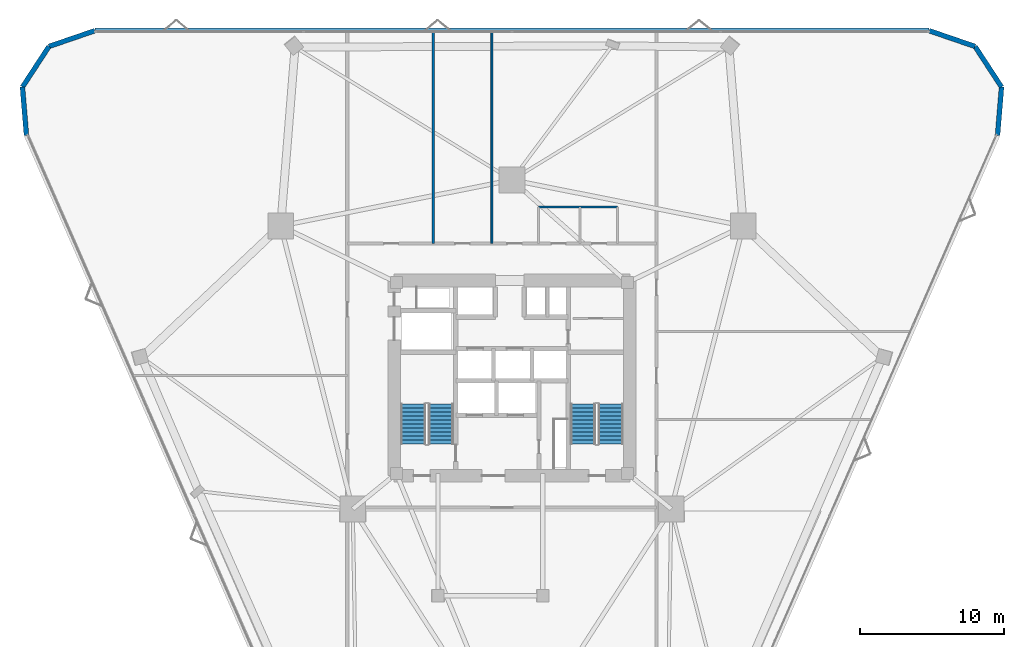
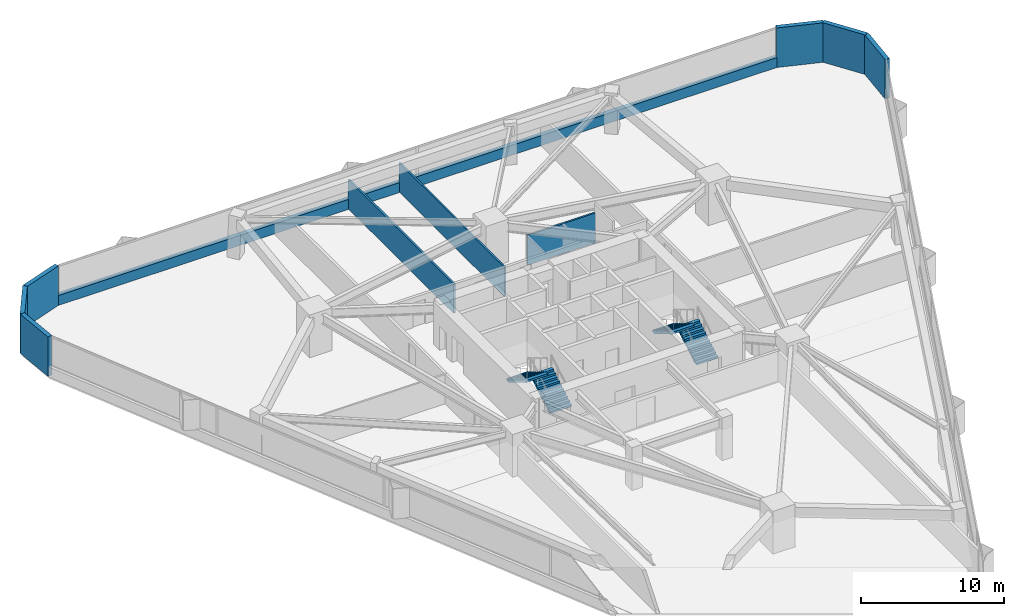
# One storey, part 19 of 21: 10 walls, 4 stair flights, 2 elements without a shape of their own.
"""IFC4 building model written with IfcOpenShell, lengths in metres."""

from ifc_helpers import new_model, si_unit, direction, frame, frame_2d, origin, place, context, subcontext, project, spatial, polyline, rectangle, outline, extrude, material, layer, layer_set, type_object, element, aggregate, save


model = new_model("IFC4")

# Units and contexts
model_context = context("Model", 3, precision=1e-05, world=origin(), true_north=direction((0.0, 1.0)))
body_context = subcontext(model_context, "Body", "Model", "MODEL_VIEW")
ifc_project = project(units=[si_unit("LENGTHUNIT", "METRE"), si_unit("AREAUNIT", "SQUARE_METRE"), si_unit("VOLUMEUNIT", "CUBIC_METRE"), si_unit("PLANEANGLEUNIT", "RADIAN"), si_unit("MASSUNIT", "GRAM", prefix="KILO")], contexts=[model_context])

# Site, building, storey
site_placement = place(None, origin())
site = spatial("IfcSite", under=ifc_project, at=site_placement, CompositionType="ELEMENT")
building_placement = place(site_placement, origin())
building = spatial("IfcBuilding", under=site, at=building_placement, Name="Talyreon Biosciences Tower", CompositionType="ELEMENT")
storey_placement = place(building_placement, frame((0.0, 0.0, 33.75)))
storey = spatial("IfcBuildingStorey", under=building, at=storey_placement, Name="L08", CompositionType="ELEMENT", Elevation=33.75)

# Walls
ifc_material_1 = material(Name="Gypsum acoustic stud partition", Category="gypsum")
ifc_layer_1 = layer(ifc_material_1, 0.159912109375)
ifc_layer_set_1 = layer_set([ifc_layer_1], Name="Gypsum acoustic stud partition")
wall_type_1 = type_object("IfcWallType", Name="LabSeparationPartition_160", PredefinedType="PARTITIONING", material=ifc_layer_set_1)
wall_1_placement = place(storey_placement, frame((60.510009765625, 77.3701171875, 0.0), z_axis=(0.0, 0.0, 1.0), x_axis=(0.0, 1.0, 0.0)))
element("IfcWall", 1, at=wall_1_placement, inside=storey, type_object=wall_type_1, Name="L08 Interior Wall IW-L08-NDIV1", PredefinedType="PARTITIONING", context=body_context, shape_type="SweptSolid", body=[
    extrude(rectangle(XDim=14.732421875, YDim=0.159912109375, at=frame_2d((7.3662109375, 0.0))), origin(), (0.0, 0.0, 1.0), 2.5048828125),
])
ifc_layer_2 = layer(ifc_material_1, 0.1298828125)
ifc_layer_set_2 = layer_set([ifc_layer_2], Name="Gypsum acoustic stud partition")
wall_type_2 = type_object("IfcWallType", Name="OfficeWriteupPartition_130", PredefinedType="PARTITIONING", material=ifc_layer_set_2)
wall_2_placement = place(storey_placement, frame((64.60009765625, 77.3701171875, 0.0), z_axis=(0.0, 0.0, 1.0), x_axis=(0.0, 1.0, 0.0)))
element("IfcWall", 2, at=wall_2_placement, inside=storey, type_object=wall_type_2, Name="L08 Interior Wall IW-L08-NDIV2", PredefinedType="PARTITIONING", context=body_context, shape_type="SweptSolid", body=[
    extrude(rectangle(XDim=14.732421875, YDim=0.1298828125, at=frame_2d((7.3662109375, 0.0))), origin(), (0.0, 0.0, 1.0), 2.5048828125),
])
ifc_material_2 = material(Name="Precast concrete C45/55", Category="concrete")
ifc_layer_3 = layer(ifc_material_2, 0.340087890625)
ifc_layer_set_3 = layer_set([ifc_layer_3], Name="Precast concrete C45/55")
wall_type_3 = type_object("IfcWallType", Name="PrecastConcreteSpandrelWall_340", PredefinedType="STANDARD", material=ifc_layer_set_3)
for number, where, z_axis, x_axis, name in (
    (3, (32.19091796875, 84.901123046875, 0.0), (0.0, 0.0, 1.0), (-0.082225515749, 0.996613748932, 0.0), "L08 Rounded-Corner Concrete Pier 01"),
    (4, (31.913330078125, 88.265625, 0.0), (0.0, 0.0, 1.0), (0.547134403386, 0.837044768595, 0.0), "L08 Rounded-Corner Concrete Pier 02"),
):
    element("IfcWall", number, at=place(storey_placement, frame(where, z_axis=z_axis, x_axis=x_axis)), inside=storey, type_object=wall_type_3, Name=name, PredefinedType="STANDARD", context=body_context, shape_type="SweptSolid", body=[
        extrude(rectangle(XDim=3.3759765625, YDim=0.340087890625, at=frame_2d((1.68798828125, 0.0))), origin(), (0.0, 0.0, 1.0), 3.375),
    ])
wall_3_placement = place(storey_placement, frame((33.760498046875, 91.091552734375, 0.0), z_axis=(0.0, 0.0, 1.0), x_axis=(0.945847654718, 0.324610865599, 0.0)))
element("IfcWall", 5, at=wall_3_placement, inside=storey, type_object=wall_type_3, Name="L08 Rounded-Corner Concrete Pier 03", PredefinedType="STANDARD", context=body_context, shape_type="SweptSolid", body=[
    extrude(rectangle(XDim=3.376220703125, YDim=0.340087890625, at=frame_2d((1.68798828125, 0.0))), origin(), (0.0, 0.0, 1.0), 3.375),
])
wall_4_placement = place(storey_placement, frame((36.953857421875, 92.1875, 0.0), z_axis=(0.0, 0.0, 1.0), x_axis=(1.0, 0.0, 0.0)))
element("IfcWall", 6, at=wall_4_placement, inside=storey, type_object=wall_type_3, Name="L08 Expressed Concrete Sill Wall 04", PredefinedType="STANDARD", context=body_context, shape_type="SweptSolid", body=[
    extrude(rectangle(XDim=58.09228515625, YDim=0.340087890625, at=frame_2d((29.046142578125, 0.0))), origin(), (0.0, 0.0, 1.0), 0.85009765625),
])
wall_5_placement = place(storey_placement, frame((95.046142578125, 92.1875, 0.0), z_axis=(0.0, 0.0, 1.0), x_axis=(0.945847654718, -0.324610865599, 0.0)))
element("IfcWall", 7, at=wall_5_placement, inside=storey, type_object=wall_type_3, Name="L08 Rounded-Corner Concrete Pier 05", PredefinedType="STANDARD", context=body_context, shape_type="SweptSolid", body=[
    extrude(rectangle(XDim=3.376220703125, YDim=0.340087890625, at=frame_2d((1.68798828125, 0.0))), origin(), (0.0, 0.0, 1.0), 3.375),
])
for number, where, z_axis, x_axis, name in (
    (8, (98.239501953125, 91.091552734375, 0.0), (0.0, 0.0, 1.0), (0.547134403386, -0.837044768595, 0.0), "L08 Rounded-Corner Concrete Pier 06"),
    (9, (100.086669921875, 88.265625, 0.0), (0.0, 0.0, 1.0), (-0.082225515749, -0.996613748932, 0.0), "L08 Rounded-Corner Concrete Pier 07"),
):
    element("IfcWall", number, at=place(storey_placement, frame(where, z_axis=z_axis, x_axis=x_axis)), inside=storey, type_object=wall_type_3, Name=name, PredefinedType="STANDARD", context=body_context, shape_type="SweptSolid", body=[
        extrude(rectangle(XDim=3.3759765625, YDim=0.340087890625, at=frame_2d((1.68798828125, 0.0))), origin(), (0.0, 0.0, 1.0), 3.375),
    ])
ifc_material_3 = material(Name="Moisture-resistant cement-board stud", Category="gypsum")
ifc_layer_4 = layer(ifc_material_3, 0.14501953125)
ifc_layer_set_4 = layer_set([ifc_layer_4], Name="Moisture-resistant cement-board stud")
wall_type_4 = type_object("IfcWallType", Name="WetRoomPartition_145", PredefinedType="PARTITIONING", material=ifc_layer_set_4)
wall_6_placement = place(storey_placement, frame((67.85009765625, 79.919921875, 0.0), z_axis=(0.0, 0.0, 1.0), x_axis=(1.0, 0.0, 0.0)))
element("IfcWall", 10, at=wall_6_placement, inside=storey, type_object=wall_type_4, Name="L08 Interior Wall IW-L08-WCT", PredefinedType="PARTITIONING", context=body_context, shape_type="SweptSolid", body=[
    extrude(rectangle(XDim=5.5, YDim=0.14501953125, at=frame_2d((2.75, 0.0))), origin(), (0.0, 0.0, 1.0), 2.554931640625),
])

# Stair, stair flights
ifc_material_4 = material(Name="Concrete C40/50", Category="concrete")
stair_type = type_object("IfcStairType", Name="DoglegEscapeStair_3650", PredefinedType="HALF_TURN_STAIR", material=ifc_material_4)
stair_1_placement = place(storey_placement, origin())
stair_1 = element("IfcStair", 11, at=stair_1_placement, inside=storey, type_object=stair_type, Name="L08 Core Escape Stair 1", PredefinedType="HALF_TURN_STAIR")
stair_flight_type = type_object("IfcStairFlightType", Name="PrecastStairFlight_3650", PredefinedType="STRAIGHT", material=ifc_material_4)
stair_flight_1_placement = place(storey_placement, frame((61.06005859375, 63.39990234375, 0.0), z_axis=(0.0, 0.0, 1.0), x_axis=(0.0, 1.0, 0.0)))
stair_flight_1 = element("IfcStairFlight", 12, at=stair_flight_1_placement, type_object=stair_flight_type, Name="ST-1 flight 1", NumberOfRisers=11, NumberOfTreads=10, PredefinedType="STRAIGHT", RiserHeight=0.165909091, TreadLength=0.28, context=body_context, shape_type="SweptSolid", body=[
    extrude(outline(polyline([(0.0, 0.0), (0.0, 0.166015625), (0.280029296875, 0.166015625), (0.280029296875, 0.331787109375), (0.56005859375, 0.331787109375), (0.56005859375, 0.497802734375), (0.840087890625, 0.497802734375), (0.840087890625, 0.66357421875), (1.1201171875, 0.66357421875), (1.1201171875, 0.82958984375), (1.39990234375, 0.82958984375), (1.39990234375, 0.995361328125), (1.679931640625, 0.995361328125), (1.679931640625, 1.161376953125), (1.9599609375, 1.161376953125), (1.9599609375, 1.327392578125), (2.239990234375, 1.327392578125), (2.239990234375, 1.4931640625), (2.52001953125, 1.4931640625), (2.52001953125, 1.6591796875), (2.800048828125, 1.6591796875), (2.800048828125, 1.824951171875), (2.800048828125, 1.48486328125), (0.2939453125, 0.0), (0.0, 0.0)])), frame((0.0, 0.8701171875, 0.0), z_axis=(0.0, -1.0, 0.0), x_axis=(1.0, 0.0, 0.0)), (0.0, 0.0, 1.0), 1.739990234375),
])
stair_flight_2_placement = place(storey_placement, frame((59.1201171875, 66.199951171875, 1.824951171875), z_axis=(0.0, 0.0, 1.0), x_axis=(0.0, -1.0, 0.0)))
stair_flight_2 = element("IfcStairFlight", 13, at=stair_flight_2_placement, type_object=stair_flight_type, Name="ST-1 flight 2", NumberOfRisers=11, NumberOfTreads=10, PredefinedType="STRAIGHT", RiserHeight=0.165909091, TreadLength=0.28, context=body_context, shape_type="SweptSolid", body=[
    extrude(outline(polyline([(0.0, 0.0), (0.0, 0.166015625), (0.280029296875, 0.166015625), (0.280029296875, 0.331787109375), (0.56005859375, 0.331787109375), (0.56005859375, 0.497802734375), (0.840087890625, 0.497802734375), (0.840087890625, 0.66357421875), (1.1201171875, 0.66357421875), (1.1201171875, 0.82958984375), (1.39990234375, 0.82958984375), (1.39990234375, 0.995361328125), (1.679931640625, 0.995361328125), (1.679931640625, 1.161376953125), (1.9599609375, 1.161376953125), (1.9599609375, 1.327392578125), (2.239990234375, 1.327392578125), (2.239990234375, 1.4931640625), (2.52001953125, 1.4931640625), (2.52001953125, 1.6591796875), (2.800048828125, 1.6591796875), (2.800048828125, 1.824951171875), (2.800048828125, 1.48486328125), (0.2939453125, 0.0), (0.0, 0.0)])), frame((0.0, 0.8701171875, 0.0), z_axis=(0.0, -1.0, 0.0), x_axis=(1.0, 0.0, 0.0)), (0.0, 0.0, 1.0), 1.739990234375),
])
aggregate(stair_1, [stair_flight_1, stair_flight_2])

stair_2_placement = place(storey_placement, origin())
stair_2 = element("IfcStair", 14, at=stair_2_placement, inside=storey, type_object=stair_type, Name="L08 Core Escape Stair 2", PredefinedType="HALF_TURN_STAIR")
stair_flight_3_placement = place(storey_placement, frame((72.8798828125, 63.39990234375, 0.0), z_axis=(0.0, 0.0, 1.0), x_axis=(0.0, 1.0, 0.0)))
stair_flight_3 = element("IfcStairFlight", 15, at=stair_flight_3_placement, type_object=stair_flight_type, Name="ST-2 flight 1", NumberOfRisers=11, NumberOfTreads=10, PredefinedType="STRAIGHT", RiserHeight=0.165909091, TreadLength=0.28, context=body_context, shape_type="SweptSolid", body=[
    extrude(outline(polyline([(0.0, 0.0), (0.0, 0.166015625), (0.280029296875, 0.166015625), (0.280029296875, 0.331787109375), (0.56005859375, 0.331787109375), (0.56005859375, 0.497802734375), (0.840087890625, 0.497802734375), (0.840087890625, 0.66357421875), (1.1201171875, 0.66357421875), (1.1201171875, 0.82958984375), (1.39990234375, 0.82958984375), (1.39990234375, 0.995361328125), (1.679931640625, 0.995361328125), (1.679931640625, 1.161376953125), (1.9599609375, 1.161376953125), (1.9599609375, 1.327392578125), (2.239990234375, 1.327392578125), (2.239990234375, 1.4931640625), (2.52001953125, 1.4931640625), (2.52001953125, 1.6591796875), (2.800048828125, 1.6591796875), (2.800048828125, 1.824951171875), (2.800048828125, 1.48486328125), (0.2939453125, 0.0), (0.0, 0.0)])), frame((0.0, 0.8701171875, 0.0), z_axis=(0.0, -1.0, 0.0), x_axis=(1.0, 0.0, 0.0)), (0.0, 0.0, 1.0), 1.739990234375),
])
stair_flight_4_placement = place(storey_placement, frame((70.93994140625, 66.199951171875, 1.824951171875), z_axis=(0.0, 0.0, 1.0), x_axis=(0.0, -1.0, 0.0)))
stair_flight_4 = element("IfcStairFlight", 16, at=stair_flight_4_placement, type_object=stair_flight_type, Name="ST-2 flight 2", NumberOfRisers=11, NumberOfTreads=10, PredefinedType="STRAIGHT", RiserHeight=0.165909091, TreadLength=0.28, context=body_context, shape_type="SweptSolid", body=[
    extrude(outline(polyline([(0.0, 0.0), (0.0, 0.166015625), (0.280029296875, 0.166015625), (0.280029296875, 0.331787109375), (0.56005859375, 0.331787109375), (0.56005859375, 0.497802734375), (0.840087890625, 0.497802734375), (0.840087890625, 0.66357421875), (1.1201171875, 0.66357421875), (1.1201171875, 0.82958984375), (1.39990234375, 0.82958984375), (1.39990234375, 0.995361328125), (1.679931640625, 0.995361328125), (1.679931640625, 1.161376953125), (1.9599609375, 1.161376953125), (1.9599609375, 1.327392578125), (2.239990234375, 1.327392578125), (2.239990234375, 1.4931640625), (2.52001953125, 1.4931640625), (2.52001953125, 1.6591796875), (2.800048828125, 1.6591796875), (2.800048828125, 1.824951171875), (2.800048828125, 1.48486328125), (0.2939453125, 0.0), (0.0, 0.0)])), frame((0.0, 0.8701171875, 0.0), z_axis=(0.0, -1.0, 0.0), x_axis=(1.0, 0.0, 0.0)), (0.0, 0.0, 1.0), 1.739990234375),
])
aggregate(stair_2, [stair_flight_3, stair_flight_4])

save(model, "model.ifc")
